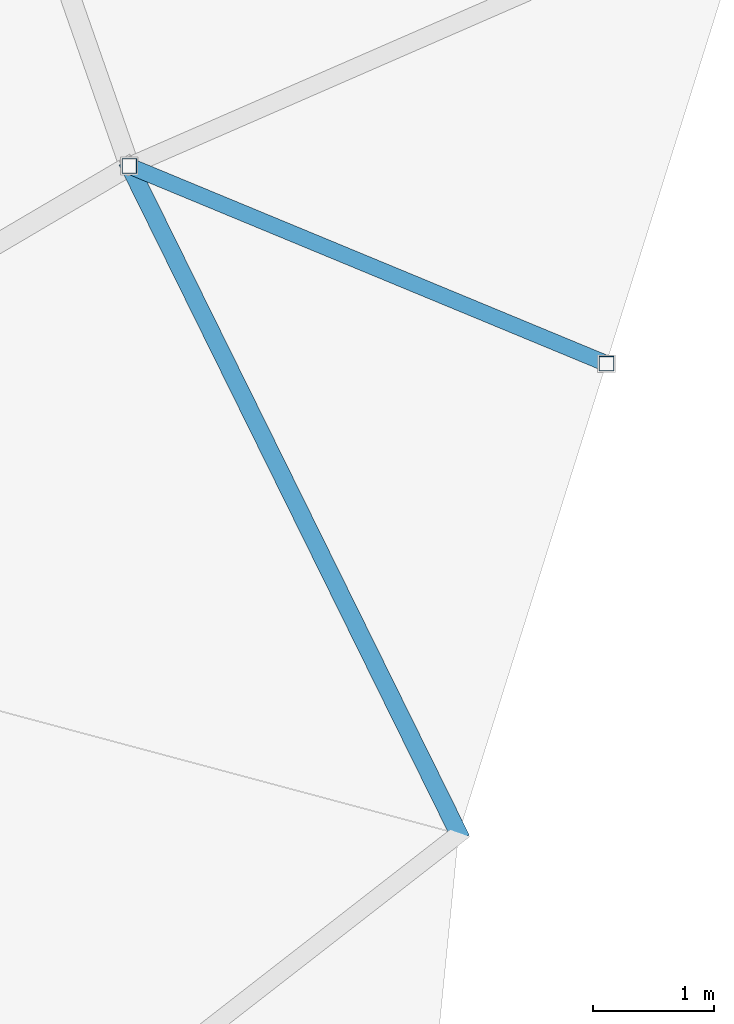
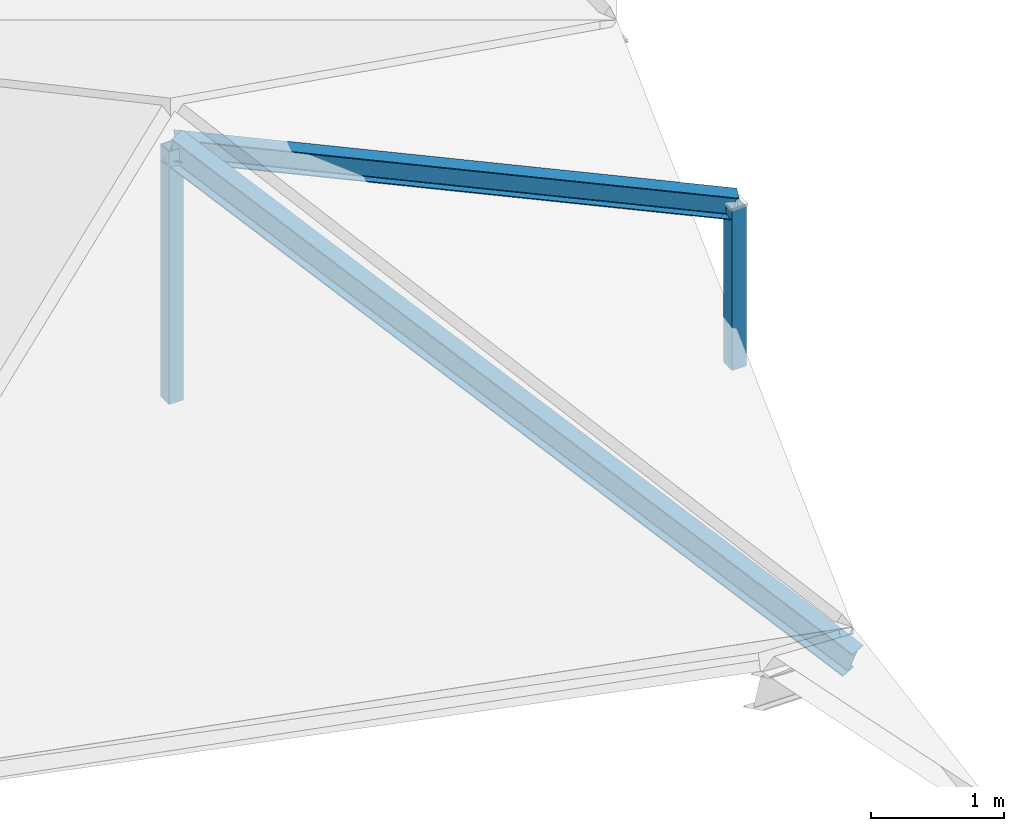
# One storey, part 14 of 66: 4 members.
"""IFC4 building model written with IfcOpenShell, lengths in metres."""

from ifc_helpers import new_model, si_unit, direction, frame, origin, origin_2d, place, context, subcontext, project, spatial, hollow_rectangle, i_section, extrude, material, material_profile, profile_set, type_object, element, save


model = new_model("IFC4")

# Units and contexts
model_context = context("Model", 3, precision=1e-05, world=origin(), true_north=direction((0.0, 1.0)))
body_context = subcontext(model_context, "Body", "Model", "MODEL_VIEW")
ifc_project = project(units=[si_unit("LENGTHUNIT", "METRE"), si_unit("AREAUNIT", "SQUARE_METRE"), si_unit("VOLUMEUNIT", "CUBIC_METRE"), si_unit("PLANEANGLEUNIT", "RADIAN"), si_unit("MASSUNIT", "GRAM", prefix="KILO")], contexts=[model_context])

# Site, building, storey
site_placement = place(None, origin())
site = spatial("IfcSite", under=ifc_project, at=site_placement, CompositionType="ELEMENT")
building_placement = place(site_placement, origin())
building = spatial("IfcBuilding", under=site, at=building_placement, Name="Karori Crest Natural Sciences Institute", CompositionType="ELEMENT")
storey_placement = place(building_placement, frame((0.0, 0.0, 30.10009765625)))
storey = spatial("IfcBuildingStorey", under=building, at=storey_placement, Name="L07", CompositionType="ELEMENT", Elevation=30.10009765625)

# Members
ifc_material_1 = material(Name="Structural steel AS/NZS 3679.1 Grade 350", Category="steel")
ifc_material_profile_1 = material_profile(ifc_material_1, i_section(OverallWidth=0.14599609375, OverallDepth=0.256103515625, WebThickness=0.00634765625, FlangeThickness=0.010986328125, FilletRadius=0.009033203125, at=origin_2d()), Name="250UB37.3")
ifc_profile_set_1 = profile_set([ifc_material_profile_1], Name="Structural steel AS/NZS 3679.1 Grade 350")
member_type_1 = type_object("IfcMemberType", Name="MT-07", PredefinedType="RAFTER", material=ifc_profile_set_1)
member_1_placement = place(storey_placement, frame((42.831298828125, 58.23388671875, -0.260009765625), z_axis=(-0.413610174184, 0.838618761605, 0.354464661843), x_axis=(-0.896851882528, -0.442330985583, 0.0)))
element("IfcMember", 1, at=member_1_placement, inside=storey, type_object=member_type_1, Name="Member M-0104", PredefinedType="RAFTER", context=body_context, shape_type="SweptSolid", body=[
    extrude(i_section(OverallWidth=0.14599609375, OverallDepth=0.256103515625, WebThickness=0.00634765625, FlangeThickness=0.010986328125, FilletRadius=0.009033203125, at=origin_2d()), origin(), (0.0, 0.0, 1.0), 6.57568359375),
])
ifc_material_profile_2 = material_profile(ifc_material_1, i_section(OverallWidth=0.133056640625, OverallDepth=0.202880859375, WebThickness=0.005859375, FlangeThickness=0.0078125, FilletRadius=0.009033203125, at=origin_2d()), Name="200UB25.4")
ifc_profile_set_2 = profile_set([ifc_material_profile_2], Name="Structural steel AS/NZS 3679.1 Grade 350")
member_type_2 = type_object("IfcMemberType", Name="MT-09", PredefinedType="PURLIN", material=ifc_profile_set_2)
member_2_placement = place(storey_placement, frame((44.05029296875, 62.116943359375, 1.142822265625), z_axis=(-0.902750615431, 0.373903155787, 0.212691693377), x_axis=(-0.38265863017, -0.923889805527, 0.0)))
element("IfcMember", 2, at=member_2_placement, inside=storey, type_object=member_type_2, Name="Member M-0105", PredefinedType="PURLIN", context=body_context, shape_type="SweptSolid", body=[
    extrude(i_section(OverallWidth=0.133056640625, OverallDepth=0.202880859375, WebThickness=0.005859375, FlangeThickness=0.0078125, FilletRadius=0.009033203125, at=origin_2d()), origin(), (0.0, 0.0, 1.0), 4.363037109375),
])
ifc_material_2 = material(Name="Hollow structural steel AS/NZS 1163 Grade C350", Category="steel")
ifc_material_profile_3 = material_profile(ifc_material_2, hollow_rectangle(XDim=0.125, YDim=0.125, WallThickness=0.006103515625, at=origin_2d()), Name="SHS125x125x6")
ifc_profile_set_3 = profile_set([ifc_material_profile_3], Name="Hollow structural steel AS/NZS 1163 Grade C350")
member_type_3 = type_object("IfcMemberType", Name="MT-20", PredefinedType="STRUT", material=ifc_profile_set_3)
member_3_placement = place(storey_placement, frame((40.111572265625, 63.748291015625, -0.2451171875), z_axis=(0.0, 0.0, 1.0), x_axis=(1.0, 0.0, 0.0)))
element("IfcMember", 3, at=member_3_placement, inside=storey, type_object=member_type_3, Name="Member M-0099", PredefinedType="STRUT", context=body_context, shape_type="SweptSolid", body=[
    extrude(hollow_rectangle(XDim=0.125, YDim=0.125, WallThickness=0.006103515625, at=origin_2d()), origin(), (0.0, 0.0, 1.0), 2.31591796875),
])
member_4_placement = place(storey_placement, frame((44.05029296875, 62.116943359375, -0.322998046875), z_axis=(0.0, 0.0, 1.0), x_axis=(1.0, 0.0, 0.0)))
element("IfcMember", 4, at=member_4_placement, inside=storey, type_object=member_type_3, Name="Member M-0100", PredefinedType="STRUT", context=body_context, shape_type="SweptSolid", body=[
    extrude(hollow_rectangle(XDim=0.125, YDim=0.125, WallThickness=0.006103515625, at=origin_2d()), origin(), (0.0, 0.0, 1.0), 1.4658203125),
])

save(model, "model.ifc")
